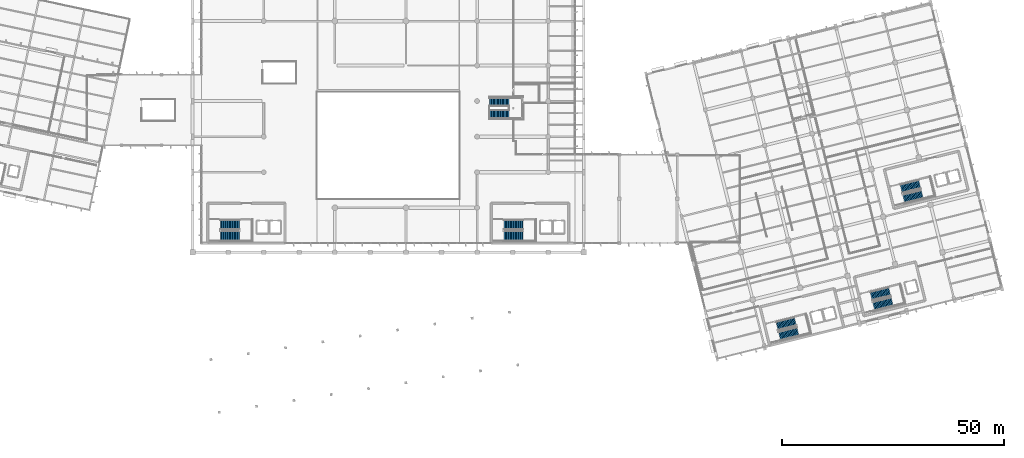
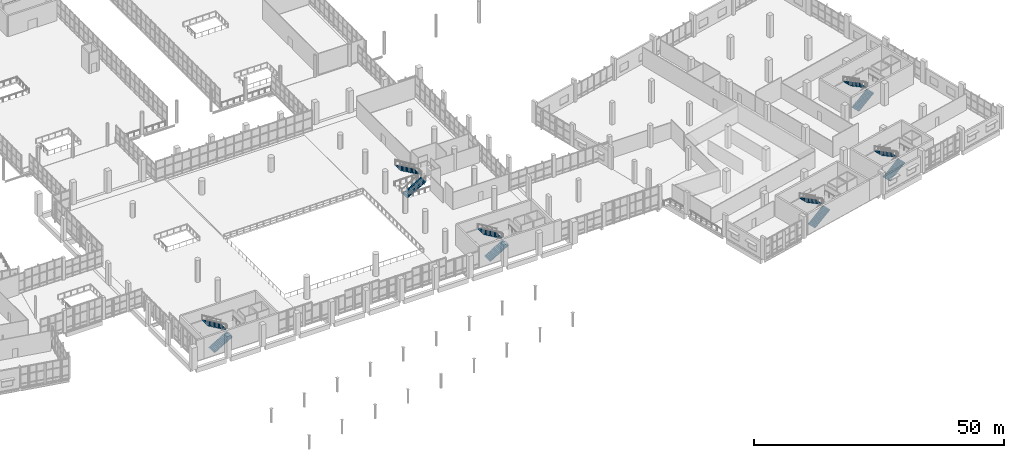
# One storey, part 150 of 176: 12 stair flights, 6 elements without a shape of their own.
"""IFC4 building model written with IfcOpenShell, lengths in metres."""

from ifc_helpers import new_model, si_unit, direction, frame, origin, place, context, subcontext, project, spatial, polyline, outline, extrude, material, type_object, element, aggregate, save


model = new_model("IFC4")

# Units and contexts
model_context = context("Model", 3, precision=1e-05, world=origin(), true_north=direction((0.0, 1.0)))
body_context = subcontext(model_context, "Body", "Model", "MODEL_VIEW")
ifc_project = project(units=[si_unit("LENGTHUNIT", "METRE"), si_unit("AREAUNIT", "SQUARE_METRE"), si_unit("VOLUMEUNIT", "CUBIC_METRE"), si_unit("PLANEANGLEUNIT", "RADIAN"), si_unit("MASSUNIT", "GRAM", prefix="KILO")], contexts=[model_context])

# Site, building, storey
site_placement = place(None, origin())
site = spatial("IfcSite", under=ifc_project, at=site_placement, CompositionType="ELEMENT")
building_placement = place(site_placement, origin())
building = spatial("IfcBuilding", under=site, at=building_placement, Name="Khorjan Park Terminus", CompositionType="ELEMENT")
storey_placement = place(building_placement, frame((0.0, 0.0, 6.0)))
storey = spatial("IfcBuildingStorey", under=building, at=storey_placement, Name="L01", CompositionType="ELEMENT", Elevation=6.0)

# Stair, stair flights
ifc_material = material(Name="Concrete C40/50", Category="concrete")
stair_type_1 = type_object("IfcStairType", Name="STR-CORE-200", PredefinedType="HALF_TURN_STAIR", material=ifc_material)
stair_1_placement = place(storey_placement, origin())
stair_1 = element("IfcStair", 1, at=stair_1_placement, inside=storey, type_object=stair_type_1, Name="L01 Operations West Firefighting Core exit stair ST-03", PredefinedType="HALF_TURN_STAIR")
stair_flight_type_1 = type_object("IfcStairFlightType", Name="FLT-STC-20", PredefinedType="STRAIGHT", material=ifc_material)
stair_flight_1_placement = place(storey_placement, frame((180.0436, 7.0989, 0.0), z_axis=(0.0, 0.0, 1.0), x_axis=(0.970295726276, 0.2419218956, 0.0)))
stair_flight_1 = element("IfcStairFlight", 2, at=stair_flight_1_placement, type_object=stair_flight_type_1, Name="ST-03 flight 1", NumberOfRisers=16, NumberOfTreads=15, PredefinedType="STRAIGHT", RiserHeight=0.16875, TreadLength=0.285, context=body_context, shape_type="SweptSolid", body=[
    extrude(outline(polyline([(0.0, 0.0), (0.0, 0.1688), (0.285, 0.1688), (0.285, 0.3375), (0.57, 0.3375), (0.57, 0.5063), (0.855, 0.5063), (0.855, 0.675), (1.14, 0.675), (1.14, 0.8438), (1.425, 0.8438), (1.425, 1.0125), (1.71, 1.0125), (1.71, 1.1813), (1.995, 1.1813), (1.995, 1.35), (2.28, 1.35), (2.28, 1.5188), (2.565, 1.5188), (2.565, 1.6875), (2.85, 1.6875), (2.85, 1.8563), (3.135, 1.8563), (3.135, 2.025), (3.42, 2.025), (3.42, 2.1938), (3.705, 2.1938), (3.705, 2.3625), (3.99, 2.3625), (3.99, 2.5312), (4.275, 2.5312), (4.275, 2.7), (4.275, 2.3453), (0.314, 0.0), (0.0, 0.0)])), frame((0.0, 1.0, 0.0), z_axis=(0.0, -1.0, 0.0), x_axis=(1.0, 0.0, 0.0)), (0.0, 0.0, 1.0), 2.0),
])
stair_flight_2_placement = place(storey_placement, frame((183.6207, 10.423, 2.7), z_axis=(0.0, 0.0, 1.0), x_axis=(-0.970295726276, -0.2419218956, 0.0)))
stair_flight_2 = element("IfcStairFlight", 3, at=stair_flight_2_placement, type_object=stair_flight_type_1, Name="ST-03 flight 2", NumberOfRisers=16, NumberOfTreads=15, PredefinedType="STRAIGHT", RiserHeight=0.16875, TreadLength=0.285, context=body_context, shape_type="SweptSolid", body=[
    extrude(outline(polyline([(0.0, 0.0), (0.0, 0.1688), (0.285, 0.1688), (0.285, 0.3375), (0.57, 0.3375), (0.57, 0.5063), (0.855, 0.5063), (0.855, 0.675), (1.14, 0.675), (1.14, 0.8438), (1.425, 0.8438), (1.425, 1.0125), (1.71, 1.0125), (1.71, 1.1813), (1.995, 1.1813), (1.995, 1.35), (2.28, 1.35), (2.28, 1.5188), (2.565, 1.5188), (2.565, 1.6875), (2.85, 1.6875), (2.85, 1.8563), (3.135, 1.8563), (3.135, 2.025), (3.42, 2.025), (3.42, 2.1938), (3.705, 2.1938), (3.705, 2.3625), (3.99, 2.3625), (3.99, 2.5312), (4.275, 2.5312), (4.275, 2.7), (4.275, 2.3453), (0.314, 0.0), (0.0, 0.0)])), frame((0.0, 1.0, 0.0), z_axis=(0.0, -1.0, 0.0), x_axis=(1.0, 0.0, 0.0)), (0.0, 0.0, 1.0), 2.0),
])
aggregate(stair_1, [stair_flight_1, stair_flight_2])

stair_2_placement = place(storey_placement, origin())
stair_2 = element("IfcStair", 4, at=stair_2_placement, inside=storey, type_object=stair_type_1, Name="L01 Operations North-East Firefighting Core exit stair ST-04", PredefinedType="HALF_TURN_STAIR")
stair_flight_3_placement = place(storey_placement, frame((208.0033, 37.9803, 0.0), z_axis=(0.0, 0.0, 1.0), x_axis=(0.970295726276, 0.2419218956, 0.0)))
stair_flight_3 = element("IfcStairFlight", 5, at=stair_flight_3_placement, type_object=stair_flight_type_1, Name="ST-04 flight 1", NumberOfRisers=16, NumberOfTreads=15, PredefinedType="STRAIGHT", RiserHeight=0.16875, TreadLength=0.285, context=body_context, shape_type="SweptSolid", body=[
    extrude(outline(polyline([(0.0, 0.0), (0.0, 0.1688), (0.285, 0.1688), (0.285, 0.3375), (0.57, 0.3375), (0.57, 0.5063), (0.855, 0.5063), (0.855, 0.675), (1.14, 0.675), (1.14, 0.8438), (1.425, 0.8438), (1.425, 1.0125), (1.71, 1.0125), (1.71, 1.1813), (1.995, 1.1813), (1.995, 1.35), (2.28, 1.35), (2.28, 1.5188), (2.565, 1.5188), (2.565, 1.6875), (2.85, 1.6875), (2.85, 1.8563), (3.135, 1.8563), (3.135, 2.025), (3.42, 2.025), (3.42, 2.1938), (3.705, 2.1938), (3.705, 2.3625), (3.99, 2.3625), (3.99, 2.5312), (4.275, 2.5312), (4.275, 2.7), (4.275, 2.3453), (0.314, 0.0), (0.0, 0.0)])), frame((0.0, 1.0, 0.0), z_axis=(0.0, -1.0, 0.0), x_axis=(1.0, 0.0, 0.0)), (0.0, 0.0, 1.0), 2.0),
])
stair_flight_4_placement = place(storey_placement, frame((211.5804, 41.3044, 2.7), z_axis=(0.0, 0.0, 1.0), x_axis=(-0.970295726276, -0.2419218956, 0.0)))
stair_flight_4 = element("IfcStairFlight", 6, at=stair_flight_4_placement, type_object=stair_flight_type_1, Name="ST-04 flight 2", NumberOfRisers=16, NumberOfTreads=15, PredefinedType="STRAIGHT", RiserHeight=0.16875, TreadLength=0.285, context=body_context, shape_type="SweptSolid", body=[
    extrude(outline(polyline([(0.0, 0.0), (0.0, 0.1688), (0.285, 0.1688), (0.285, 0.3375), (0.57, 0.3375), (0.57, 0.5063), (0.855, 0.5063), (0.855, 0.675), (1.14, 0.675), (1.14, 0.8438), (1.425, 0.8438), (1.425, 1.0125), (1.71, 1.0125), (1.71, 1.1813), (1.995, 1.1813), (1.995, 1.35), (2.28, 1.35), (2.28, 1.5188), (2.565, 1.5188), (2.565, 1.6875), (2.85, 1.6875), (2.85, 1.8563), (3.135, 1.8563), (3.135, 2.025), (3.42, 2.025), (3.42, 2.1938), (3.705, 2.1938), (3.705, 2.3625), (3.99, 2.3625), (3.99, 2.5312), (4.275, 2.5312), (4.275, 2.7), (4.275, 2.3453), (0.314, 0.0), (0.0, 0.0)])), frame((0.0, 1.0, 0.0), z_axis=(0.0, -1.0, 0.0), x_axis=(1.0, 0.0, 0.0)), (0.0, 0.0, 1.0), 2.0),
])
aggregate(stair_2, [stair_flight_3, stair_flight_4])

stair_3_placement = place(storey_placement, origin())
stair_3 = element("IfcStair", 7, at=stair_3_placement, inside=storey, type_object=stair_type_1, Name="L01 Operations Central Command Core exit stair ST-05", PredefinedType="HALF_TURN_STAIR")
stair_flight_5_placement = place(storey_placement, frame((201.2455, 13.828, 0.0), z_axis=(0.0, 0.0, 1.0), x_axis=(0.970295726276, 0.2419218956, 0.0)))
stair_flight_5 = element("IfcStairFlight", 8, at=stair_flight_5_placement, type_object=stair_flight_type_1, Name="ST-05 flight 1", NumberOfRisers=16, NumberOfTreads=15, PredefinedType="STRAIGHT", RiserHeight=0.16875, TreadLength=0.285, context=body_context, shape_type="SweptSolid", body=[
    extrude(outline(polyline([(0.0, 0.0), (0.0, 0.1688), (0.285, 0.1688), (0.285, 0.3375), (0.57, 0.3375), (0.57, 0.5063), (0.855, 0.5063), (0.855, 0.675), (1.14, 0.675), (1.14, 0.8438), (1.425, 0.8438), (1.425, 1.0125), (1.71, 1.0125), (1.71, 1.1813), (1.995, 1.1813), (1.995, 1.35), (2.28, 1.35), (2.28, 1.5188), (2.565, 1.5188), (2.565, 1.6875), (2.85, 1.6875), (2.85, 1.8563), (3.135, 1.8563), (3.135, 2.025), (3.42, 2.025), (3.42, 2.1938), (3.705, 2.1938), (3.705, 2.3625), (3.99, 2.3625), (3.99, 2.5312), (4.275, 2.5312), (4.275, 2.7), (4.275, 2.3453), (0.314, 0.0), (0.0, 0.0)])), frame((0.0, 1.0, 0.0), z_axis=(0.0, -1.0, 0.0), x_axis=(1.0, 0.0, 0.0)), (0.0, 0.0, 1.0), 2.0),
])
stair_flight_6_placement = place(storey_placement, frame((204.8226, 17.1521, 2.7), z_axis=(0.0, 0.0, 1.0), x_axis=(-0.970295726276, -0.2419218956, 0.0)))
stair_flight_6 = element("IfcStairFlight", 9, at=stair_flight_6_placement, type_object=stair_flight_type_1, Name="ST-05 flight 2", NumberOfRisers=16, NumberOfTreads=15, PredefinedType="STRAIGHT", RiserHeight=0.16875, TreadLength=0.285, context=body_context, shape_type="SweptSolid", body=[
    extrude(outline(polyline([(0.0, 0.0), (0.0, 0.1688), (0.285, 0.1688), (0.285, 0.3375), (0.57, 0.3375), (0.57, 0.5063), (0.855, 0.5063), (0.855, 0.675), (1.14, 0.675), (1.14, 0.8438), (1.425, 0.8438), (1.425, 1.0125), (1.71, 1.0125), (1.71, 1.1813), (1.995, 1.1813), (1.995, 1.35), (2.28, 1.35), (2.28, 1.5188), (2.565, 1.5188), (2.565, 1.6875), (2.85, 1.6875), (2.85, 1.8563), (3.135, 1.8563), (3.135, 2.025), (3.42, 2.025), (3.42, 2.1938), (3.705, 2.1938), (3.705, 2.3625), (3.99, 2.3625), (3.99, 2.5312), (4.275, 2.5312), (4.275, 2.7), (4.275, 2.3453), (0.314, 0.0), (0.0, 0.0)])), frame((0.0, 1.0, 0.0), z_axis=(0.0, -1.0, 0.0), x_axis=(1.0, 0.0, 0.0)), (0.0, 0.0, 1.0), 2.0),
])
aggregate(stair_3, [stair_flight_5, stair_flight_6])

stair_type_2 = type_object("IfcStairType", Name="STR-CORE-220", PredefinedType="HALF_TURN_STAIR", material=ifc_material)
stair_4_placement = place(storey_placement, origin())
stair_4 = element("IfcStair", 10, at=stair_4_placement, inside=storey, type_object=stair_type_2, Name="L01 West Concourse Core exit stair ST-01", PredefinedType="HALF_TURN_STAIR")
stair_flight_type_2 = type_object("IfcStairFlightType", Name="FLT-STC-22", PredefinedType="STRAIGHT", material=ifc_material)
stair_flight_7_placement = place(storey_placement, frame((54.26, 29.65, 0.0), z_axis=(0.0, 0.0, 1.0), x_axis=(1.0, 0.0, 0.0)))
stair_flight_7 = element("IfcStairFlight", 11, at=stair_flight_7_placement, type_object=stair_flight_type_2, Name="ST-01 flight 1", NumberOfRisers=16, NumberOfTreads=15, PredefinedType="STRAIGHT", RiserHeight=0.16875, TreadLength=0.285, context=body_context, shape_type="SweptSolid", body=[
    extrude(outline(polyline([(0.0, 0.0), (0.0, 0.1688), (0.285, 0.1688), (0.285, 0.3375), (0.57, 0.3375), (0.57, 0.5063), (0.855, 0.5063), (0.855, 0.675), (1.14, 0.675), (1.14, 0.8438), (1.425, 0.8438), (1.425, 1.0125), (1.71, 1.0125), (1.71, 1.1813), (1.995, 1.1813), (1.995, 1.35), (2.28, 1.35), (2.28, 1.5188), (2.565, 1.5188), (2.565, 1.6875), (2.85, 1.6875), (2.85, 1.8563), (3.135, 1.8563), (3.135, 2.025), (3.42, 2.025), (3.42, 2.1938), (3.705, 2.1938), (3.705, 2.3625), (3.99, 2.3625), (3.99, 2.5312), (4.275, 2.5312), (4.275, 2.7), (4.275, 2.3453), (0.314, 0.0), (0.0, 0.0)])), frame((0.0, 1.1, 0.0), z_axis=(0.0, -1.0, 0.0), x_axis=(1.0, 0.0, 0.0)), (0.0, 0.0, 1.0), 2.2),
])
stair_flight_8_placement = place(storey_placement, frame((58.535, 32.21, 2.7), z_axis=(0.0, 0.0, 1.0), x_axis=(-1.0, 0.0, 0.0)))
stair_flight_8 = element("IfcStairFlight", 12, at=stair_flight_8_placement, type_object=stair_flight_type_2, Name="ST-01 flight 2", NumberOfRisers=16, NumberOfTreads=15, PredefinedType="STRAIGHT", RiserHeight=0.16875, TreadLength=0.285, context=body_context, shape_type="SweptSolid", body=[
    extrude(outline(polyline([(0.0, 0.0), (0.0, 0.1688), (0.285, 0.1688), (0.285, 0.3375), (0.57, 0.3375), (0.57, 0.5063), (0.855, 0.5063), (0.855, 0.675), (1.14, 0.675), (1.14, 0.8438), (1.425, 0.8438), (1.425, 1.0125), (1.71, 1.0125), (1.71, 1.1813), (1.995, 1.1813), (1.995, 1.35), (2.28, 1.35), (2.28, 1.5188), (2.565, 1.5188), (2.565, 1.6875), (2.85, 1.6875), (2.85, 1.8563), (3.135, 1.8563), (3.135, 2.025), (3.42, 2.025), (3.42, 2.1938), (3.705, 2.1938), (3.705, 2.3625), (3.99, 2.3625), (3.99, 2.5312), (4.275, 2.5312), (4.275, 2.7), (4.275, 2.3453), (0.314, 0.0), (0.0, 0.0)])), frame((0.0, 1.1, 0.0), z_axis=(0.0, -1.0, 0.0), x_axis=(1.0, 0.0, 0.0)), (0.0, 0.0, 1.0), 2.2),
])
aggregate(stair_4, [stair_flight_7, stair_flight_8])

stair_5_placement = place(storey_placement, origin())
stair_5 = element("IfcStair", 13, at=stair_5_placement, inside=storey, type_object=stair_type_2, Name="L01 East Concourse Core exit stair ST-02", PredefinedType="HALF_TURN_STAIR")
stair_flight_9_placement = place(storey_placement, frame((118.06, 29.65, 0.0), z_axis=(0.0, 0.0, 1.0), x_axis=(1.0, 0.0, 0.0)))
stair_flight_9 = element("IfcStairFlight", 14, at=stair_flight_9_placement, type_object=stair_flight_type_2, Name="ST-02 flight 1", NumberOfRisers=16, NumberOfTreads=15, PredefinedType="STRAIGHT", RiserHeight=0.16875, TreadLength=0.285, context=body_context, shape_type="SweptSolid", body=[
    extrude(outline(polyline([(0.0, 0.0), (0.0, 0.1688), (0.285, 0.1688), (0.285, 0.3375), (0.57, 0.3375), (0.57, 0.5063), (0.855, 0.5063), (0.855, 0.675), (1.14, 0.675), (1.14, 0.8438), (1.425, 0.8438), (1.425, 1.0125), (1.71, 1.0125), (1.71, 1.1813), (1.995, 1.1813), (1.995, 1.35), (2.28, 1.35), (2.28, 1.5188), (2.565, 1.5188), (2.565, 1.6875), (2.85, 1.6875), (2.85, 1.8563), (3.135, 1.8563), (3.135, 2.025), (3.42, 2.025), (3.42, 2.1938), (3.705, 2.1938), (3.705, 2.3625), (3.99, 2.3625), (3.99, 2.5312), (4.275, 2.5312), (4.275, 2.7), (4.275, 2.3453), (0.314, 0.0), (0.0, 0.0)])), frame((0.0, 1.1, 0.0), z_axis=(0.0, -1.0, 0.0), x_axis=(1.0, 0.0, 0.0)), (0.0, 0.0, 1.0), 2.2),
])
stair_flight_10_placement = place(storey_placement, frame((122.335, 32.21, 2.7), z_axis=(0.0, 0.0, 1.0), x_axis=(-1.0, 0.0, 0.0)))
stair_flight_10 = element("IfcStairFlight", 15, at=stair_flight_10_placement, type_object=stair_flight_type_2, Name="ST-02 flight 2", NumberOfRisers=16, NumberOfTreads=15, PredefinedType="STRAIGHT", RiserHeight=0.16875, TreadLength=0.285, context=body_context, shape_type="SweptSolid", body=[
    extrude(outline(polyline([(0.0, 0.0), (0.0, 0.1688), (0.285, 0.1688), (0.285, 0.3375), (0.57, 0.3375), (0.57, 0.5063), (0.855, 0.5063), (0.855, 0.675), (1.14, 0.675), (1.14, 0.8438), (1.425, 0.8438), (1.425, 1.0125), (1.71, 1.0125), (1.71, 1.1813), (1.995, 1.1813), (1.995, 1.35), (2.28, 1.35), (2.28, 1.5188), (2.565, 1.5188), (2.565, 1.6875), (2.85, 1.6875), (2.85, 1.8563), (3.135, 1.8563), (3.135, 2.025), (3.42, 2.025), (3.42, 2.1938), (3.705, 2.1938), (3.705, 2.3625), (3.99, 2.3625), (3.99, 2.5312), (4.275, 2.5312), (4.275, 2.7), (4.275, 2.3453), (0.314, 0.0), (0.0, 0.0)])), frame((0.0, 1.1, 0.0), z_axis=(0.0, -1.0, 0.0), x_axis=(1.0, 0.0, 0.0)), (0.0, 0.0, 1.0), 2.2),
])
aggregate(stair_5, [stair_flight_9, stair_flight_10])

stair_type_3 = type_object("IfcStairType", Name="STR-PUB-190", PredefinedType="HALF_TURN_STAIR", material=ifc_material)
stair_6_placement = place(storey_placement, origin())
stair_6 = element("IfcStair", 16, at=stair_6_placement, inside=storey, type_object=stair_type_3, Name="Public passenger half-turn stair CS-05", PredefinedType="HALF_TURN_STAIR")
stair_flight_type_3 = type_object("IfcStairFlightType", Name="FLT-STP-19", PredefinedType="STRAIGHT", material=ifc_material)
stair_flight_11_placement = place(storey_placement, frame((114.8, 57.01, 0.0), z_axis=(0.0, 0.0, 1.0), x_axis=(1.0, 0.0, 0.0)))
stair_flight_11 = element("IfcStairFlight", 17, at=stair_flight_11_placement, type_object=stair_flight_type_3, Name="Stair CS-05 lower flight", NumberOfRisers=16, NumberOfTreads=15, PredefinedType="STRAIGHT", RiserHeight=0.16875, TreadLength=0.29, context=body_context, shape_type="SweptSolid", body=[
    extrude(outline(polyline([(0.0, 0.0), (0.0, 0.1688), (0.29, 0.1688), (0.29, 0.3375), (0.58, 0.3375), (0.58, 0.5063), (0.87, 0.5063), (0.87, 0.675), (1.16, 0.675), (1.16, 0.8438), (1.45, 0.8438), (1.45, 1.0125), (1.74, 1.0125), (1.74, 1.1813), (2.03, 1.1813), (2.03, 1.35), (2.32, 1.35), (2.32, 1.5188), (2.61, 1.5188), (2.61, 1.6875), (2.9, 1.6875), (2.9, 1.8563), (3.19, 1.8563), (3.19, 2.025), (3.48, 2.025), (3.48, 2.1938), (3.77, 2.1938), (3.77, 2.3625), (4.06, 2.3625), (4.06, 2.5312), (4.35, 2.5312), (4.35, 2.7), (4.35, 2.3461), (0.3181, 0.0), (0.0, 0.0)])), frame((0.0, 0.95, 0.0), z_axis=(0.0, -1.0, 0.0), x_axis=(1.0, 0.0, 0.0)), (0.0, 0.0, 1.0), 1.9),
])
stair_flight_12_placement = place(storey_placement, frame((119.15, 59.79, 2.7), z_axis=(0.0, 0.0, 1.0), x_axis=(-1.0, 0.0, 0.0)))
stair_flight_12 = element("IfcStairFlight", 18, at=stair_flight_12_placement, type_object=stair_flight_type_3, Name="Stair CS-05 upper flight", NumberOfRisers=16, NumberOfTreads=15, PredefinedType="STRAIGHT", RiserHeight=0.16875, TreadLength=0.29, context=body_context, shape_type="SweptSolid", body=[
    extrude(outline(polyline([(0.0, 0.0), (0.0, 0.1688), (0.29, 0.1688), (0.29, 0.3375), (0.58, 0.3375), (0.58, 0.5063), (0.87, 0.5063), (0.87, 0.675), (1.16, 0.675), (1.16, 0.8438), (1.45, 0.8438), (1.45, 1.0125), (1.74, 1.0125), (1.74, 1.1813), (2.03, 1.1813), (2.03, 1.35), (2.32, 1.35), (2.32, 1.5188), (2.61, 1.5188), (2.61, 1.6875), (2.9, 1.6875), (2.9, 1.8563), (3.19, 1.8563), (3.19, 2.025), (3.48, 2.025), (3.48, 2.1938), (3.77, 2.1938), (3.77, 2.3625), (4.06, 2.3625), (4.06, 2.5312), (4.35, 2.5312), (4.35, 2.7), (4.35, 2.3461), (0.3181, 0.0), (0.0, 0.0)])), frame((0.0, 0.95, 0.0), z_axis=(0.0, -1.0, 0.0), x_axis=(1.0, 0.0, 0.0)), (0.0, 0.0, 1.0), 1.9),
])
aggregate(stair_6, [stair_flight_11, stair_flight_12])

save(model, "model.ifc")
